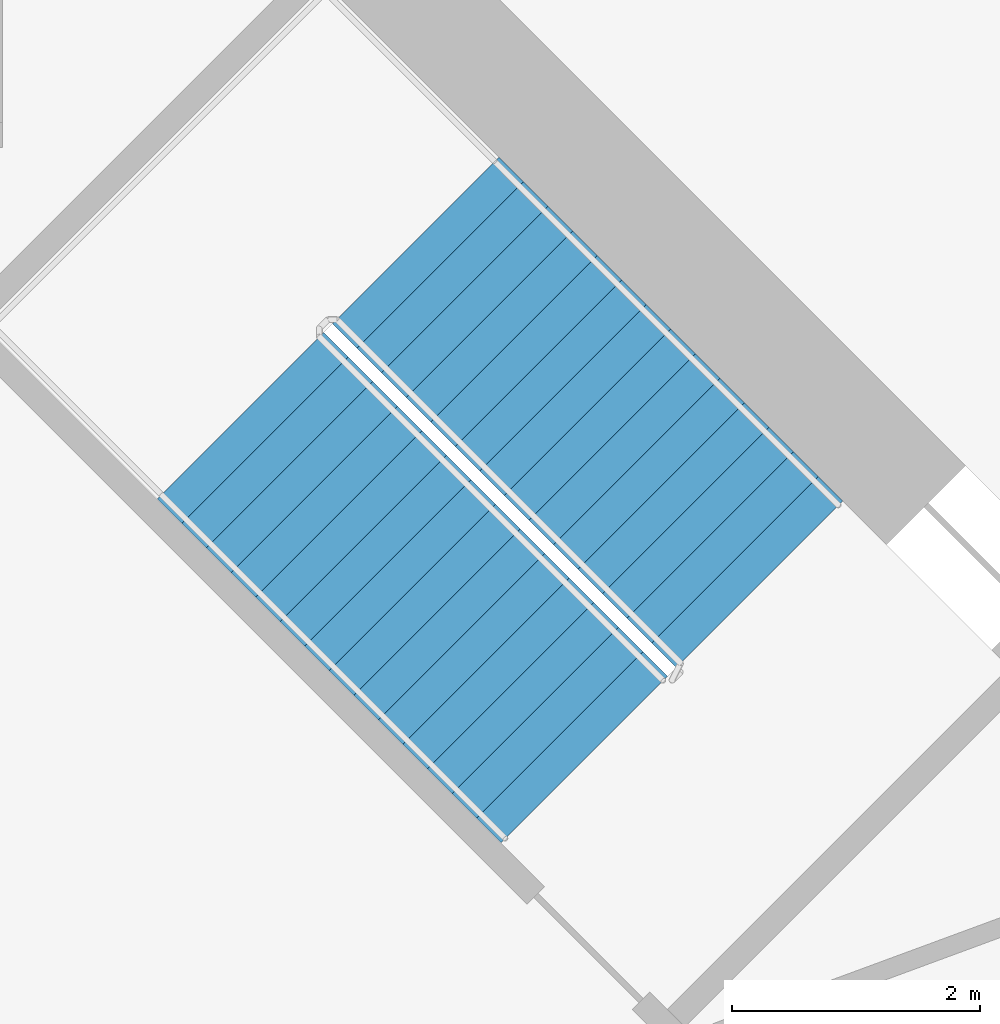
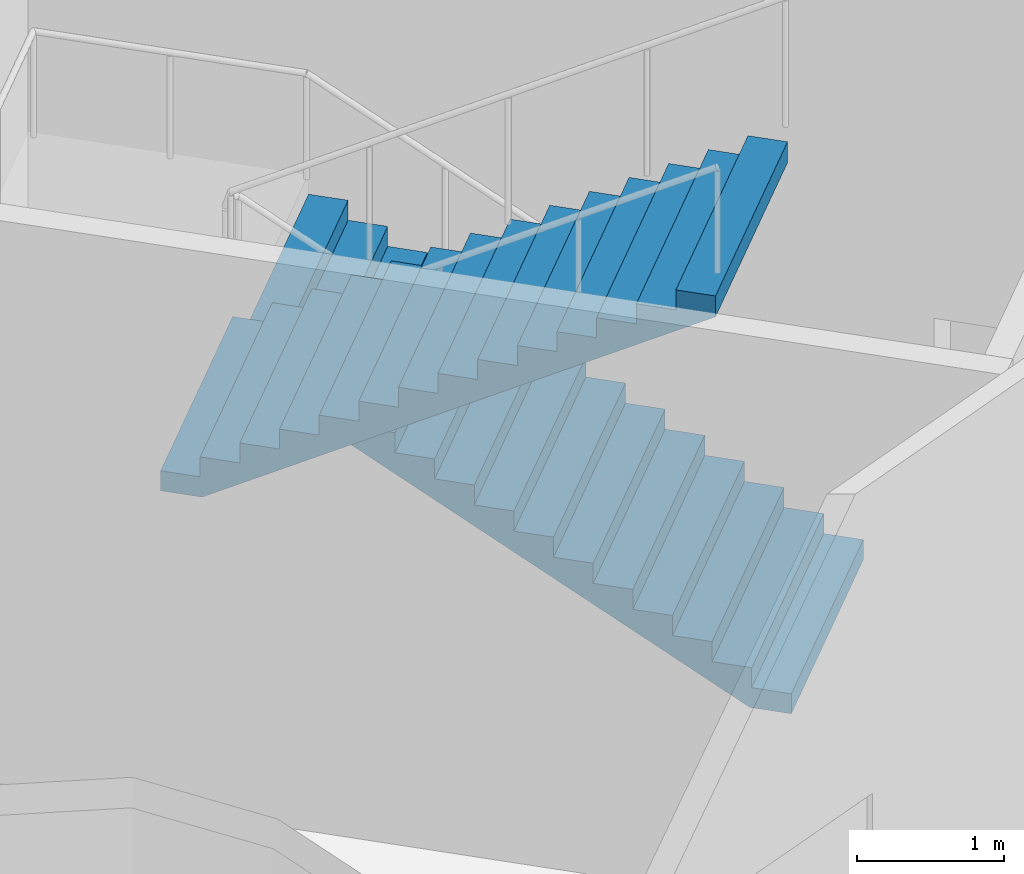
# One storey, part 15 of 16: 2 stair flights, 1 element without a shape of its own.
"""IFC4 building model written with IfcOpenShell, lengths in metres."""

from ifc_helpers import new_model, si_unit, direction, frame, origin, place, context, subcontext, project, spatial, triangles, material, type_object, element, aggregate, save


model = new_model("IFC4")

# Units and contexts
model_context = context("Model", 3, precision=1e-05, world=origin(), true_north=direction((0.0, 1.0)))
body_context = subcontext(model_context, "Body", "Model", "MODEL_VIEW")
ifc_project = project(units=[si_unit("LENGTHUNIT", "METRE"), si_unit("AREAUNIT", "SQUARE_METRE"), si_unit("VOLUMEUNIT", "CUBIC_METRE"), si_unit("PLANEANGLEUNIT", "RADIAN"), si_unit("MASSUNIT", "GRAM", prefix="KILO")], contexts=[model_context])

# Site, building, storey
site_placement = place(None, origin())
site = spatial("IfcSite", under=ifc_project, at=site_placement, CompositionType="ELEMENT")
building_placement = place(site_placement, origin())
building = spatial("IfcBuilding", under=site, at=building_placement, Name="Verdalira Terraces Hotel", CompositionType="ELEMENT")
storey_placement = place(building_placement, frame((0.0, 0.0, 34.0)))
storey = spatial("IfcBuildingStorey", under=building, at=storey_placement, Name="L06", CompositionType="ELEMENT", Elevation=34.0)

# Stair, stair flights
ifc_material_1 = material(Name="Concrete C40", Category="concrete")
stair_type = type_object("IfcStairType", Name="Core stair 30 risers 1900 mm wide", PredefinedType="HALF_TURN_STAIR", material=ifc_material_1)
stair_placement = place(storey_placement, origin())
stair = element("IfcStair", 1, at=stair_placement, inside=storey, type_object=stair_type, Name="L06 Exit stair ST1", PredefinedType="HALF_TURN_STAIR")
ifc_material_2 = material(Name="Concrete C40", Category="concrete")
stair_flight_type = type_object("IfcStairFlightType", Name="Core stair flight 30 risers 1900 mm wide", PredefinedType="STRAIGHT", material=ifc_material_2)
stair_flight_1_placement = place(storey_placement, frame((10.005615, 7.177246, 0.0), z_axis=(0.0, 0.0, 1.0), x_axis=(-0.707106781, 0.707106781, 0.0)))
stair_flight_1 = element("IfcStairFlight", 2, at=stair_flight_1_placement, type_object=stair_flight_type, Name="ST1 flight 1", NumberOfRisers=15, NumberOfTreads=14, PredefinedType="STRAIGHT", RiserHeight=0.166666667, TreadLength=0.28, context=body_context, shape_type="Tessellation", body=[
    triangles([(0.0, 0.949951, 0.0), (0.292969, 0.949951, 0.0), (3.919922, 0.949951, 2.158936), (0.0, -0.949951, 0.0), (0.292969, -0.949951, 0.0), (3.919922, -0.949951, 2.158936), (3.919922, 0.949951, 2.333252), (3.639893, 0.949951, 2.333252), (3.919922, -0.949951, 2.333252), (3.639893, -0.949951, 2.333252), (3.639893, 0.949951, 2.166748), (3.639893, -0.949951, 2.166748), (3.360107, 0.949951, 2.166748), (3.360107, -0.949951, 2.166748), (3.360107, 0.949951, 2.0), (3.360107, -0.949951, 2.0), (3.080078, 0.949951, 2.0), (3.080078, 0.949951, 1.833252), (3.080078, -0.949951, 2.0), (3.080078, -0.949951, 1.833252), (2.800049, 0.949951, 1.833252), (2.800049, 0.949951, 1.666748), (2.800049, -0.949951, 1.833252), (2.800049, -0.949951, 1.666748), (2.52002, 0.949951, 1.666748), (2.52002, 0.949951, 1.5), (2.52002, -0.949951, 1.666748), (2.52002, -0.949951, 1.5), (2.23999, 0.949951, 1.5), (2.23999, 0.949951, 1.333252), (2.23999, -0.949951, 1.5), (2.23999, -0.949951, 1.333252), (1.959961, 0.949951, 1.333252), (1.959961, 0.949951, 1.166748), (1.959961, -0.949951, 1.333252), (1.959961, -0.949951, 1.166748), (1.679932, 0.949951, 1.166748), (1.679932, 0.949951, 1.0), (1.679932, -0.949951, 1.166748), (1.679932, -0.949951, 1.0), (1.399902, 0.949951, 1.0), (1.399902, 0.949951, 0.833252), (1.399902, -0.949951, 1.0), (1.399902, -0.949951, 0.833252), (1.120117, 0.949951, 0.833252), (1.120117, 0.949951, 0.666748), (1.120117, -0.949951, 0.833252), (1.120117, -0.949951, 0.666748), (0.840088, 0.949951, 0.666748), (0.840088, 0.949951, 0.5), (0.840088, -0.949951, 0.666748), (0.840088, -0.949951, 0.5), (0.560059, 0.949951, 0.5), (0.560059, 0.949951, 0.333252), (0.560059, -0.949951, 0.5), (0.560059, -0.949951, 0.333252), (0.280029, 0.949951, 0.333252), (0.280029, 0.949951, 0.166748), (0.280029, -0.949951, 0.333252), (0.280029, -0.949951, 0.166748), (0.0, 0.949951, 0.166748), (0.0, -0.949951, 0.166748), (0.0, -0.890579, 0.0), (0.0, -0.890579, 0.166748), (0.0, -0.831207, 0.0), (0.0, -0.831207, 0.166748), (0.0, -0.771835, 0.0), (0.0, -0.771835, 0.166748), (0.0, -0.712463, 0.0), (0.0, -0.712463, 0.166748), (0.0, -0.653091, 0.0), (0.0, -0.653091, 0.166748), (0.0, -0.593719, 0.0), (0.0, -0.593719, 0.166748), (0.0, -0.534348, 0.0), (0.0, -0.534348, 0.166748), (0.0, -0.474976, 0.0), (0.0, -0.474976, 0.166748), (0.0, -0.415604, 0.0), (0.0, -0.415604, 0.166748), (0.0, -0.356232, 0.0), (0.0, -0.356232, 0.166748), (0.0, -0.29686, 0.0), (0.0, -0.29686, 0.166748), (0.0, -0.237488, 0.0), (0.0, -0.237488, 0.166748), (0.0, -0.178116, 0.0), (0.0, -0.178116, 0.166748), (0.0, -0.118744, 0.0), (0.0, -0.118744, 0.166748), (0.0, -0.059372, 0.0), (0.0, -0.059372, 0.166748), (0.0, 0.0, 0.0), (0.0, 0.0, 0.166748), (0.0, 0.059372, 0.0), (0.0, 0.059372, 0.166748), (0.0, 0.118744, 0.0), (0.0, 0.118744, 0.166748), (0.0, 0.178116, 0.0), (0.0, 0.178116, 0.166748), (0.0, 0.237488, 0.0), (0.0, 0.237488, 0.166748), (0.0, 0.29686, 0.0), (0.0, 0.29686, 0.166748), (0.0, 0.356232, 0.0), (0.0, 0.356232, 0.166748), (0.0, 0.415604, 0.0), (0.0, 0.415604, 0.166748), (0.0, 0.474976, 0.0), (0.0, 0.474976, 0.166748), (0.0, 0.534348, 0.0), (0.0, 0.534348, 0.166748), (0.0, 0.593719, 0.0), (0.0, 0.593719, 0.166748), (0.0, 0.653091, 0.0), (0.0, 0.653091, 0.166748), (0.0, 0.712463, 0.0), (0.0, 0.712463, 0.166748), (0.0, 0.771835, 0.0), (0.0, 0.771835, 0.166748), (0.0, 0.831207, 0.0), (0.0, 0.831207, 0.166748), (0.0, 0.890579, 0.0), (0.0, 0.890579, 0.166748), (3.919922, -0.890579, 2.333252), (3.919922, -0.831207, 2.333252), (3.919922, -0.771835, 2.333252), (3.919922, -0.712463, 2.333252), (3.919922, -0.653091, 2.333252), (3.919922, -0.593719, 2.333252), (3.919922, -0.534348, 2.333252), (3.919922, -0.474976, 2.333252), (3.919922, -0.415604, 2.333252), (3.919922, -0.356232, 2.333252), (3.919922, -0.29686, 2.333252), (3.919922, -0.237488, 2.333252), (3.919922, -0.178116, 2.333252), (3.919922, -0.118744, 2.333252), (3.919922, -0.059372, 2.333252), (3.919922, 0.0, 2.333252), (3.919922, 0.059372, 2.333252), (3.919922, 0.118744, 2.333252), (3.919922, 0.178116, 2.333252), (3.919922, 0.237488, 2.333252), (3.919922, 0.29686, 2.333252), (3.919922, 0.356232, 2.333252), (3.919922, 0.415604, 2.333252), (3.919922, 0.474976, 2.333252), (3.919922, 0.534348, 2.333252), (3.919922, 0.593719, 2.333252), (3.919922, 0.653091, 2.333252), (3.919922, 0.712463, 2.333252), (3.919922, 0.771835, 2.333252), (3.919922, 0.831207, 2.333252), (3.919922, 0.890579, 2.333252), (3.919922, -0.890579, 2.158936), (3.919922, -0.831207, 2.158936), (3.919922, -0.771835, 2.158936), (3.919922, -0.712463, 2.158936), (3.919922, -0.653091, 2.158936), (3.919922, -0.593719, 2.158936), (3.919922, -0.534348, 2.158936), (3.919922, -0.474976, 2.158936), (3.919922, -0.415604, 2.158936), (3.919922, -0.356232, 2.158936), (3.919922, -0.29686, 2.158936), (3.919922, -0.237488, 2.158936), (3.919922, -0.178116, 2.158936), (3.919922, -0.118744, 2.158936), (3.919922, -0.059372, 2.158936), (3.919922, 0.0, 2.158936), (3.919922, 0.059372, 2.158936), (3.919922, 0.118744, 2.158936), (3.919922, 0.178116, 2.158936), (3.919922, 0.237488, 2.158936), (3.919922, 0.29686, 2.158936), (3.919922, 0.356232, 2.158936), (3.919922, 0.415604, 2.158936), (3.919922, 0.474976, 2.158936), (3.919922, 0.534348, 2.158936), (3.919922, 0.593719, 2.158936), (3.919922, 0.653091, 2.158936), (3.919922, 0.712463, 2.158936), (3.919922, 0.771835, 2.158936), (3.919922, 0.831207, 2.158936), (3.919922, 0.890579, 2.158936)], [[1, 3, 2], [4, 5, 6], [3, 8, 7], [6, 9, 10], [3, 11, 8], [6, 10, 12], [3, 13, 11], [6, 12, 14], [3, 15, 13], [6, 14, 16], [15, 18, 17], [16, 19, 20], [3, 18, 15], [6, 16, 20], [18, 22, 21], [20, 23, 24], [3, 22, 18], [6, 20, 24], [22, 26, 25], [24, 27, 28], [3, 26, 22], [6, 24, 28], [26, 30, 29], [28, 31, 32], [3, 30, 26], [6, 28, 32], [30, 34, 33], [32, 35, 36], [3, 34, 30], [6, 32, 36], [34, 38, 37], [36, 39, 40], [3, 38, 34], [6, 36, 40], [38, 42, 41], [40, 43, 44], [3, 42, 38], [6, 40, 44], [42, 46, 45], [44, 47, 48], [3, 46, 42], [6, 44, 48], [46, 50, 49], [48, 51, 52], [3, 50, 46], [6, 48, 52], [50, 54, 53], [52, 55, 56], [3, 54, 50], [6, 52, 56], [1, 54, 3], [4, 6, 56], [54, 58, 57], [56, 59, 60], [1, 58, 54], [4, 56, 60], [58, 1, 61], [60, 62, 4], [4, 64, 63], [4, 62, 64], [63, 66, 65], [63, 64, 66], [65, 68, 67], [65, 66, 68], [67, 70, 69], [67, 68, 70], [69, 72, 71], [69, 70, 72], [71, 74, 73], [71, 72, 74], [73, 76, 75], [73, 74, 76], [75, 78, 77], [75, 76, 78], [77, 80, 79], [77, 78, 80], [79, 82, 81], [79, 80, 82], [81, 84, 83], [81, 82, 84], [83, 86, 85], [83, 84, 86], [85, 88, 87], [85, 86, 88], [87, 90, 89], [87, 88, 90], [89, 92, 91], [89, 90, 92], [91, 94, 93], [91, 92, 94], [93, 96, 95], [93, 94, 96], [95, 98, 97], [95, 96, 98], [97, 100, 99], [97, 98, 100], [99, 102, 101], [99, 100, 102], [101, 104, 103], [101, 102, 104], [103, 106, 105], [103, 104, 106], [105, 108, 107], [105, 106, 108], [107, 110, 109], [107, 108, 110], [109, 112, 111], [109, 110, 112], [111, 114, 113], [111, 112, 114], [113, 116, 115], [113, 114, 116], [115, 118, 117], [115, 116, 118], [117, 120, 119], [117, 118, 120], [119, 122, 121], [119, 120, 122], [121, 124, 123], [121, 122, 124], [123, 61, 1], [123, 124, 61], [62, 60, 64], [64, 60, 66], [66, 60, 68], [68, 60, 70], [70, 60, 72], [72, 60, 74], [74, 60, 76], [76, 60, 78], [78, 60, 80], [80, 60, 82], [82, 60, 84], [84, 60, 86], [86, 60, 88], [88, 60, 90], [90, 60, 92], [92, 60, 94], [94, 60, 96], [96, 60, 98], [98, 60, 100], [100, 60, 102], [102, 60, 104], [104, 60, 106], [106, 60, 108], [108, 60, 110], [110, 60, 112], [112, 60, 114], [114, 60, 116], [116, 60, 118], [118, 60, 120], [120, 60, 122], [122, 60, 124], [124, 60, 61], [61, 60, 58], [60, 57, 58], [60, 59, 57], [59, 54, 57], [59, 56, 54], [56, 53, 54], [56, 55, 53], [55, 50, 53], [55, 52, 50], [52, 49, 50], [52, 51, 49], [51, 46, 49], [51, 48, 46], [48, 45, 46], [48, 47, 45], [47, 42, 45], [47, 44, 42], [44, 41, 42], [44, 43, 41], [43, 38, 41], [43, 40, 38], [40, 37, 38], [40, 39, 37], [39, 34, 37], [39, 36, 34], [36, 33, 34], [36, 35, 33], [35, 30, 33], [35, 32, 30], [32, 29, 30], [32, 31, 29], [31, 26, 29], [31, 28, 26], [28, 25, 26], [28, 27, 25], [27, 22, 25], [27, 24, 22], [24, 21, 22], [24, 23, 21], [23, 18, 21], [23, 20, 18], [20, 17, 18], [20, 19, 17], [19, 15, 17], [19, 16, 15], [16, 13, 15], [16, 14, 13], [14, 11, 13], [14, 12, 11], [12, 8, 11], [12, 10, 8], [9, 125, 10], [125, 126, 10], [126, 127, 10], [127, 128, 10], [128, 129, 10], [129, 130, 10], [130, 131, 10], [131, 132, 10], [132, 133, 10], [133, 134, 10], [134, 135, 10], [135, 136, 10], [136, 137, 10], [137, 138, 10], [138, 139, 10], [139, 140, 10], [140, 141, 10], [141, 142, 10], [142, 143, 10], [143, 144, 10], [144, 145, 10], [145, 146, 10], [146, 147, 10], [147, 148, 10], [148, 149, 10], [149, 150, 10], [150, 151, 10], [151, 152, 10], [152, 153, 10], [153, 154, 10], [154, 155, 10], [155, 7, 10], [7, 8, 10], [9, 156, 125], [9, 6, 156], [125, 157, 126], [125, 156, 157], [126, 158, 127], [126, 157, 158], [127, 159, 128], [127, 158, 159], [128, 160, 129], [128, 159, 160], [129, 161, 130], [129, 160, 161], [130, 162, 131], [130, 161, 162], [131, 163, 132], [131, 162, 163], [132, 164, 133], [132, 163, 164], [133, 165, 134], [133, 164, 165], [134, 166, 135], [134, 165, 166], [135, 167, 136], [135, 166, 167], [136, 168, 137], [136, 167, 168], [137, 169, 138], [137, 168, 169], [138, 170, 139], [138, 169, 170], [139, 171, 140], [139, 170, 171], [140, 172, 141], [140, 171, 172], [141, 173, 142], [141, 172, 173], [142, 174, 143], [142, 173, 174], [143, 175, 144], [143, 174, 175], [144, 176, 145], [144, 175, 176], [145, 177, 146], [145, 176, 177], [146, 178, 147], [146, 177, 178], [147, 179, 148], [147, 178, 179], [148, 180, 149], [148, 179, 180], [149, 181, 150], [149, 180, 181], [150, 182, 151], [150, 181, 182], [151, 183, 152], [151, 182, 183], [152, 184, 153], [152, 183, 184], [153, 185, 154], [153, 184, 185], [154, 186, 155], [154, 185, 186], [155, 3, 7], [155, 186, 3], [6, 5, 156], [156, 5, 157], [157, 5, 158], [158, 5, 159], [159, 5, 160], [160, 5, 161], [161, 5, 162], [162, 5, 163], [163, 5, 164], [164, 5, 165], [165, 5, 166], [166, 5, 167], [167, 5, 168], [168, 5, 169], [169, 5, 170], [170, 5, 171], [171, 5, 172], [172, 5, 173], [173, 5, 174], [174, 5, 175], [175, 5, 176], [176, 5, 177], [177, 5, 178], [178, 5, 179], [179, 5, 180], [180, 5, 181], [181, 5, 182], [182, 5, 183], [183, 5, 184], [184, 5, 185], [185, 5, 186], [186, 5, 3], [3, 5, 2], [4, 63, 5], [63, 65, 5], [65, 67, 5], [67, 69, 5], [69, 71, 5], [71, 73, 5], [73, 75, 5], [75, 77, 5], [77, 79, 5], [79, 81, 5], [81, 83, 5], [83, 85, 5], [85, 87, 5], [87, 89, 5], [89, 91, 5], [91, 93, 5], [93, 95, 5], [95, 97, 5], [97, 99, 5], [99, 101, 5], [101, 103, 5], [103, 105, 5], [105, 107, 5], [107, 109, 5], [109, 111, 5], [111, 113, 5], [113, 115, 5], [115, 117, 5], [117, 119, 5], [119, 121, 5], [121, 123, 5], [123, 1, 5], [1, 2, 5]], closed=True),
])
stair_flight_2_placement = place(storey_placement, frame((5.81958, 8.534668, 2.5), z_axis=(0.0, 0.0, 1.0), x_axis=(0.707106781, -0.707106781, 0.0)))
stair_flight_2 = element("IfcStairFlight", 3, at=stair_flight_2_placement, type_object=stair_flight_type, Name="ST1 flight 2", NumberOfRisers=15, NumberOfTreads=14, PredefinedType="STRAIGHT", RiserHeight=0.166666667, TreadLength=0.28, context=body_context, shape_type="Tessellation", body=[
    triangles([(0.0, 0.949951, 0.0), (0.292969, 0.949951, 0.0), (3.919922, 0.949951, 2.158936), (0.0, -0.949951, 0.0), (0.292969, -0.949951, 0.0), (3.919922, -0.949951, 2.158936), (3.919922, 0.949951, 2.333252), (3.639893, 0.949951, 2.333252), (3.919922, -0.949951, 2.333252), (3.639893, -0.949951, 2.333252), (3.639893, 0.949951, 2.166748), (3.639893, -0.949951, 2.166748), (3.360107, 0.949951, 2.166748), (3.360107, -0.949951, 2.166748), (3.360107, 0.949951, 2.0), (3.360107, -0.949951, 2.0), (3.080078, 0.949951, 2.0), (3.080078, 0.949951, 1.833252), (3.080078, -0.949951, 2.0), (3.080078, -0.949951, 1.833252), (2.800049, 0.949951, 1.833252), (2.800049, 0.949951, 1.666748), (2.800049, -0.949951, 1.833252), (2.800049, -0.949951, 1.666748), (2.52002, 0.949951, 1.666748), (2.52002, 0.949951, 1.5), (2.52002, -0.949951, 1.666748), (2.52002, -0.949951, 1.5), (2.23999, 0.949951, 1.5), (2.23999, 0.949951, 1.333252), (2.23999, -0.949951, 1.5), (2.23999, -0.949951, 1.333252), (1.959961, 0.949951, 1.333252), (1.959961, 0.949951, 1.166748), (1.959961, -0.949951, 1.333252), (1.959961, -0.949951, 1.166748), (1.679932, 0.949951, 1.166748), (1.679932, 0.949951, 1.0), (1.679932, -0.949951, 1.166748), (1.679932, -0.949951, 1.0), (1.399902, 0.949951, 1.0), (1.399902, 0.949951, 0.833252), (1.399902, -0.949951, 1.0), (1.399902, -0.949951, 0.833252), (1.120117, 0.949951, 0.833252), (1.120117, 0.949951, 0.666748), (1.120117, -0.949951, 0.833252), (1.120117, -0.949951, 0.666748), (0.840088, 0.949951, 0.666748), (0.840088, 0.949951, 0.5), (0.840088, -0.949951, 0.666748), (0.840088, -0.949951, 0.5), (0.560059, 0.949951, 0.5), (0.560059, 0.949951, 0.333252), (0.560059, -0.949951, 0.5), (0.560059, -0.949951, 0.333252), (0.280029, 0.949951, 0.333252), (0.280029, 0.949951, 0.166748), (0.280029, -0.949951, 0.333252), (0.280029, -0.949951, 0.166748), (0.0, 0.949951, 0.166748), (0.0, -0.949951, 0.166748), (0.0, -0.890579, 0.0), (0.0, -0.890579, 0.166748), (0.0, -0.831207, 0.0), (0.0, -0.831207, 0.166748), (0.0, -0.771835, 0.0), (0.0, -0.771835, 0.166748), (0.0, -0.712463, 0.0), (0.0, -0.712463, 0.166748), (0.0, -0.653091, 0.0), (0.0, -0.653091, 0.166748), (0.0, -0.593719, 0.0), (0.0, -0.593719, 0.166748), (0.0, -0.534348, 0.0), (0.0, -0.534348, 0.166748), (0.0, -0.474976, 0.0), (0.0, -0.474976, 0.166748), (0.0, -0.415604, 0.0), (0.0, -0.415604, 0.166748), (0.0, -0.356232, 0.0), (0.0, -0.356232, 0.166748), (0.0, -0.29686, 0.0), (0.0, -0.29686, 0.166748), (0.0, -0.237488, 0.0), (0.0, -0.237488, 0.166748), (0.0, -0.178116, 0.0), (0.0, -0.178116, 0.166748), (0.0, -0.118744, 0.0), (0.0, -0.118744, 0.166748), (0.0, -0.059372, 0.0), (0.0, -0.059372, 0.166748), (0.0, 0.0, 0.0), (0.0, 0.0, 0.166748), (0.0, 0.059372, 0.0), (0.0, 0.059372, 0.166748), (0.0, 0.118744, 0.0), (0.0, 0.118744, 0.166748), (0.0, 0.178116, 0.0), (0.0, 0.178116, 0.166748), (0.0, 0.237488, 0.0), (0.0, 0.237488, 0.166748), (0.0, 0.29686, 0.0), (0.0, 0.29686, 0.166748), (0.0, 0.356232, 0.0), (0.0, 0.356232, 0.166748), (0.0, 0.415604, 0.0), (0.0, 0.415604, 0.166748), (0.0, 0.474976, 0.0), (0.0, 0.474976, 0.166748), (0.0, 0.534348, 0.0), (0.0, 0.534348, 0.166748), (0.0, 0.593719, 0.0), (0.0, 0.593719, 0.166748), (0.0, 0.653091, 0.0), (0.0, 0.653091, 0.166748), (0.0, 0.712463, 0.0), (0.0, 0.712463, 0.166748), (0.0, 0.771835, 0.0), (0.0, 0.771835, 0.166748), (0.0, 0.831207, 0.0), (0.0, 0.831207, 0.166748), (0.0, 0.890579, 0.0), (0.0, 0.890579, 0.166748), (3.919922, -0.890579, 2.333252), (3.919922, -0.831207, 2.333252), (3.919922, -0.771835, 2.333252), (3.919922, -0.712463, 2.333252), (3.919922, -0.653091, 2.333252), (3.919922, -0.593719, 2.333252), (3.919922, -0.534348, 2.333252), (3.919922, -0.474976, 2.333252), (3.919922, -0.415604, 2.333252), (3.919922, -0.356232, 2.333252), (3.919922, -0.29686, 2.333252), (3.919922, -0.237488, 2.333252), (3.919922, -0.178116, 2.333252), (3.919922, -0.118744, 2.333252), (3.919922, -0.059372, 2.333252), (3.919922, 0.0, 2.333252), (3.919922, 0.059372, 2.333252), (3.919922, 0.118744, 2.333252), (3.919922, 0.178116, 2.333252), (3.919922, 0.237488, 2.333252), (3.919922, 0.29686, 2.333252), (3.919922, 0.356232, 2.333252), (3.919922, 0.415604, 2.333252), (3.919922, 0.474976, 2.333252), (3.919922, 0.534348, 2.333252), (3.919922, 0.593719, 2.333252), (3.919922, 0.653091, 2.333252), (3.919922, 0.712463, 2.333252), (3.919922, 0.771835, 2.333252), (3.919922, 0.831207, 2.333252), (3.919922, 0.890579, 2.333252), (3.919922, -0.890579, 2.158936), (3.919922, -0.831207, 2.158936), (3.919922, -0.771835, 2.158936), (3.919922, -0.712463, 2.158936), (3.919922, -0.653091, 2.158936), (3.919922, -0.593719, 2.158936), (3.919922, -0.534348, 2.158936), (3.919922, -0.474976, 2.158936), (3.919922, -0.415604, 2.158936), (3.919922, -0.356232, 2.158936), (3.919922, -0.29686, 2.158936), (3.919922, -0.237488, 2.158936), (3.919922, -0.178116, 2.158936), (3.919922, -0.118744, 2.158936), (3.919922, -0.059372, 2.158936), (3.919922, 0.0, 2.158936), (3.919922, 0.059372, 2.158936), (3.919922, 0.118744, 2.158936), (3.919922, 0.178116, 2.158936), (3.919922, 0.237488, 2.158936), (3.919922, 0.29686, 2.158936), (3.919922, 0.356232, 2.158936), (3.919922, 0.415604, 2.158936), (3.919922, 0.474976, 2.158936), (3.919922, 0.534348, 2.158936), (3.919922, 0.593719, 2.158936), (3.919922, 0.653091, 2.158936), (3.919922, 0.712463, 2.158936), (3.919922, 0.771835, 2.158936), (3.919922, 0.831207, 2.158936), (3.919922, 0.890579, 2.158936)], [[1, 3, 2], [4, 5, 6], [3, 8, 7], [6, 9, 10], [3, 11, 8], [6, 10, 12], [3, 13, 11], [6, 12, 14], [3, 15, 13], [6, 14, 16], [15, 18, 17], [16, 19, 20], [3, 18, 15], [6, 16, 20], [18, 22, 21], [20, 23, 24], [3, 22, 18], [6, 20, 24], [22, 26, 25], [24, 27, 28], [3, 26, 22], [6, 24, 28], [26, 30, 29], [28, 31, 32], [3, 30, 26], [6, 28, 32], [30, 34, 33], [32, 35, 36], [3, 34, 30], [6, 32, 36], [34, 38, 37], [36, 39, 40], [3, 38, 34], [6, 36, 40], [38, 42, 41], [40, 43, 44], [3, 42, 38], [6, 40, 44], [42, 46, 45], [44, 47, 48], [3, 46, 42], [6, 44, 48], [46, 50, 49], [48, 51, 52], [3, 50, 46], [6, 48, 52], [50, 54, 53], [52, 55, 56], [3, 54, 50], [6, 52, 56], [1, 54, 3], [4, 6, 56], [54, 58, 57], [56, 59, 60], [1, 58, 54], [4, 56, 60], [58, 1, 61], [60, 62, 4], [4, 64, 63], [4, 62, 64], [63, 66, 65], [63, 64, 66], [65, 68, 67], [65, 66, 68], [67, 70, 69], [67, 68, 70], [69, 72, 71], [69, 70, 72], [71, 74, 73], [71, 72, 74], [73, 76, 75], [73, 74, 76], [75, 78, 77], [75, 76, 78], [77, 80, 79], [77, 78, 80], [79, 82, 81], [79, 80, 82], [81, 84, 83], [81, 82, 84], [83, 86, 85], [83, 84, 86], [85, 88, 87], [85, 86, 88], [87, 90, 89], [87, 88, 90], [89, 92, 91], [89, 90, 92], [91, 94, 93], [91, 92, 94], [93, 96, 95], [93, 94, 96], [95, 98, 97], [95, 96, 98], [97, 100, 99], [97, 98, 100], [99, 102, 101], [99, 100, 102], [101, 104, 103], [101, 102, 104], [103, 106, 105], [103, 104, 106], [105, 108, 107], [105, 106, 108], [107, 110, 109], [107, 108, 110], [109, 112, 111], [109, 110, 112], [111, 114, 113], [111, 112, 114], [113, 116, 115], [113, 114, 116], [115, 118, 117], [115, 116, 118], [117, 120, 119], [117, 118, 120], [119, 122, 121], [119, 120, 122], [121, 124, 123], [121, 122, 124], [123, 61, 1], [123, 124, 61], [62, 60, 64], [64, 60, 66], [66, 60, 68], [68, 60, 70], [70, 60, 72], [72, 60, 74], [74, 60, 76], [76, 60, 78], [78, 60, 80], [80, 60, 82], [82, 60, 84], [84, 60, 86], [86, 60, 88], [88, 60, 90], [90, 60, 92], [92, 60, 94], [94, 60, 96], [96, 60, 98], [98, 60, 100], [100, 60, 102], [102, 60, 104], [104, 60, 106], [106, 60, 108], [108, 60, 110], [110, 60, 112], [112, 60, 114], [114, 60, 116], [116, 60, 118], [118, 60, 120], [120, 60, 122], [122, 60, 124], [124, 60, 61], [61, 60, 58], [60, 57, 58], [60, 59, 57], [59, 54, 57], [59, 56, 54], [56, 53, 54], [56, 55, 53], [55, 50, 53], [55, 52, 50], [52, 49, 50], [52, 51, 49], [51, 46, 49], [51, 48, 46], [48, 45, 46], [48, 47, 45], [47, 42, 45], [47, 44, 42], [44, 41, 42], [44, 43, 41], [43, 38, 41], [43, 40, 38], [40, 37, 38], [40, 39, 37], [39, 34, 37], [39, 36, 34], [36, 33, 34], [36, 35, 33], [35, 30, 33], [35, 32, 30], [32, 29, 30], [32, 31, 29], [31, 26, 29], [31, 28, 26], [28, 25, 26], [28, 27, 25], [27, 22, 25], [27, 24, 22], [24, 21, 22], [24, 23, 21], [23, 18, 21], [23, 20, 18], [20, 17, 18], [20, 19, 17], [19, 15, 17], [19, 16, 15], [16, 13, 15], [16, 14, 13], [14, 11, 13], [14, 12, 11], [12, 8, 11], [12, 10, 8], [9, 125, 10], [125, 126, 10], [126, 127, 10], [127, 128, 10], [128, 129, 10], [129, 130, 10], [130, 131, 10], [131, 132, 10], [132, 133, 10], [133, 134, 10], [134, 135, 10], [135, 136, 10], [136, 137, 10], [137, 138, 10], [138, 139, 10], [139, 140, 10], [140, 141, 10], [141, 142, 10], [142, 143, 10], [143, 144, 10], [144, 145, 10], [145, 146, 10], [146, 147, 10], [147, 148, 10], [148, 149, 10], [149, 150, 10], [150, 151, 10], [151, 152, 10], [152, 153, 10], [153, 154, 10], [154, 155, 10], [155, 7, 10], [7, 8, 10], [9, 156, 125], [9, 6, 156], [125, 157, 126], [125, 156, 157], [126, 158, 127], [126, 157, 158], [127, 159, 128], [127, 158, 159], [128, 160, 129], [128, 159, 160], [129, 161, 130], [129, 160, 161], [130, 162, 131], [130, 161, 162], [131, 163, 132], [131, 162, 163], [132, 164, 133], [132, 163, 164], [133, 165, 134], [133, 164, 165], [134, 166, 135], [134, 165, 166], [135, 167, 136], [135, 166, 167], [136, 168, 137], [136, 167, 168], [137, 169, 138], [137, 168, 169], [138, 170, 139], [138, 169, 170], [139, 171, 140], [139, 170, 171], [140, 172, 141], [140, 171, 172], [141, 173, 142], [141, 172, 173], [142, 174, 143], [142, 173, 174], [143, 175, 144], [143, 174, 175], [144, 176, 145], [144, 175, 176], [145, 177, 146], [145, 176, 177], [146, 178, 147], [146, 177, 178], [147, 179, 148], [147, 178, 179], [148, 180, 149], [148, 179, 180], [149, 181, 150], [149, 180, 181], [150, 182, 151], [150, 181, 182], [151, 183, 152], [151, 182, 183], [152, 184, 153], [152, 183, 184], [153, 185, 154], [153, 184, 185], [154, 186, 155], [154, 185, 186], [155, 3, 7], [155, 186, 3], [6, 5, 156], [156, 5, 157], [157, 5, 158], [158, 5, 159], [159, 5, 160], [160, 5, 161], [161, 5, 162], [162, 5, 163], [163, 5, 164], [164, 5, 165], [165, 5, 166], [166, 5, 167], [167, 5, 168], [168, 5, 169], [169, 5, 170], [170, 5, 171], [171, 5, 172], [172, 5, 173], [173, 5, 174], [174, 5, 175], [175, 5, 176], [176, 5, 177], [177, 5, 178], [178, 5, 179], [179, 5, 180], [180, 5, 181], [181, 5, 182], [182, 5, 183], [183, 5, 184], [184, 5, 185], [185, 5, 186], [186, 5, 3], [3, 5, 2], [4, 63, 5], [63, 65, 5], [65, 67, 5], [67, 69, 5], [69, 71, 5], [71, 73, 5], [73, 75, 5], [75, 77, 5], [77, 79, 5], [79, 81, 5], [81, 83, 5], [83, 85, 5], [85, 87, 5], [87, 89, 5], [89, 91, 5], [91, 93, 5], [93, 95, 5], [95, 97, 5], [97, 99, 5], [99, 101, 5], [101, 103, 5], [103, 105, 5], [105, 107, 5], [107, 109, 5], [109, 111, 5], [111, 113, 5], [113, 115, 5], [115, 117, 5], [117, 119, 5], [119, 121, 5], [121, 123, 5], [123, 1, 5], [1, 2, 5]], closed=True),
])
aggregate(stair, [stair_flight_1, stair_flight_2])

save(model, "model.ifc")
